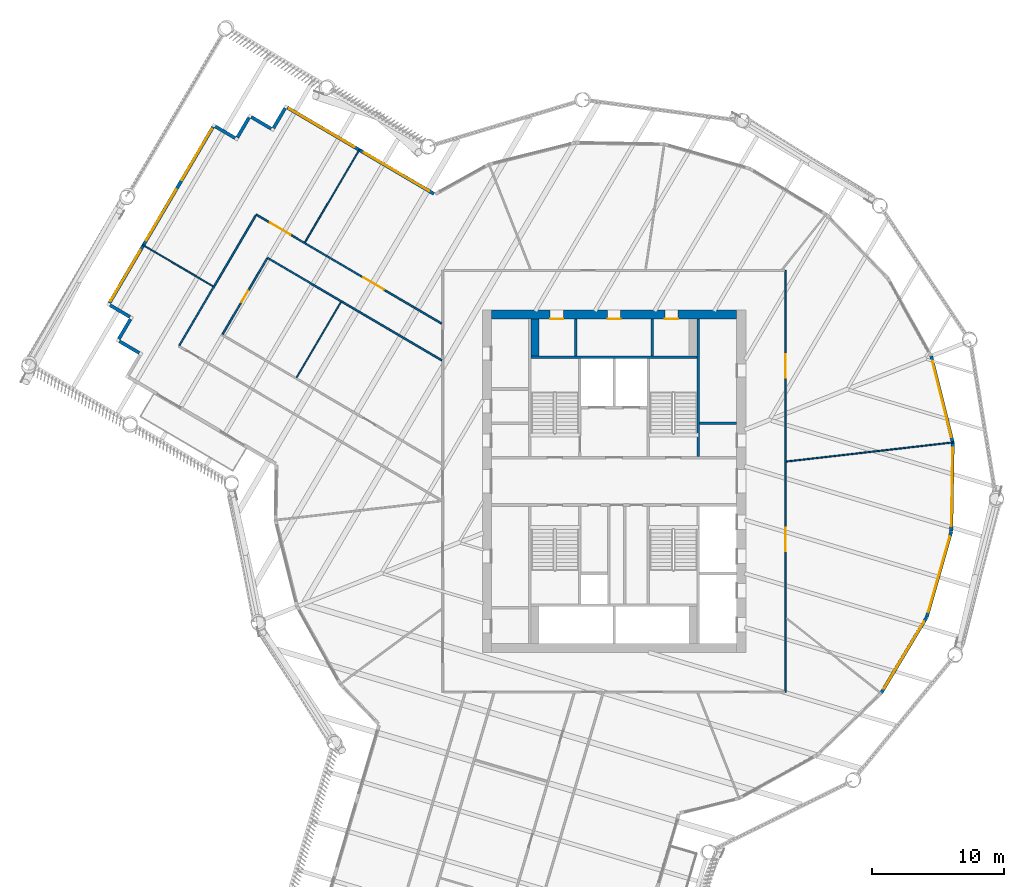
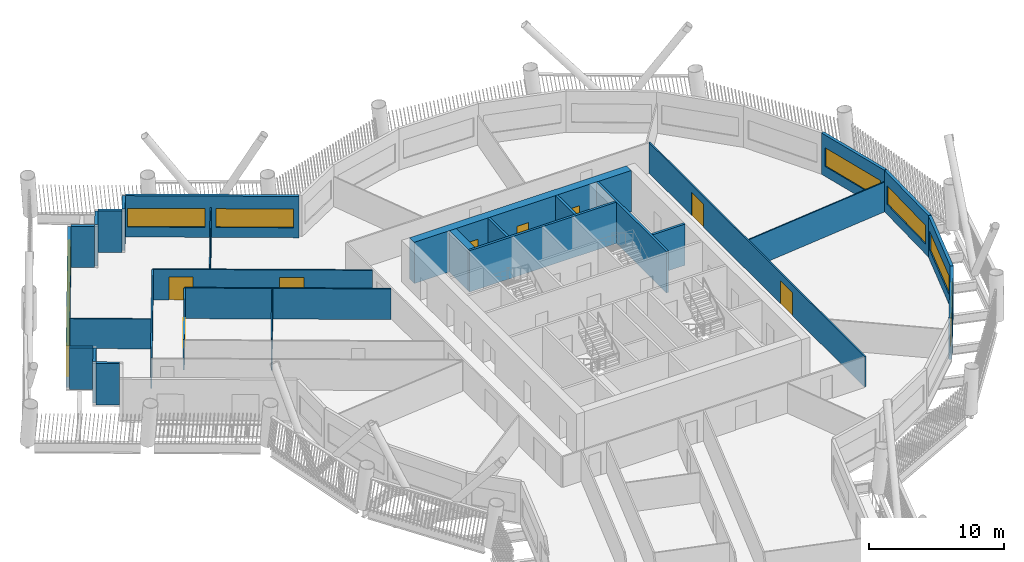
# One storey, part 6 of 23: 29 walls, 9 windows, 8 doors, 17 openings.
"""IFC4 building model written with IfcOpenShell, lengths in metres."""

from ifc_helpers import new_model, si_unit, direction, frame, frame_2d, origin, place, context, subcontext, project, spatial, rectangle, extrude, material, layer, layer_set, type_object, element, fill, save


model = new_model("IFC4")

# Units and contexts
model_context = context("Model", 3, precision=1e-05, world=origin(), true_north=direction((0.0, 1.0)))
body_context = subcontext(model_context, "Body", "Model", "MODEL_VIEW")
ifc_project = project(units=[si_unit("LENGTHUNIT", "METRE"), si_unit("AREAUNIT", "SQUARE_METRE"), si_unit("VOLUMEUNIT", "CUBIC_METRE"), si_unit("PLANEANGLEUNIT", "RADIAN"), si_unit("MASSUNIT", "GRAM", prefix="KILO")], contexts=[model_context])

# Site, building, storey
site_placement = place(None, origin())
site = spatial("IfcSite", under=ifc_project, at=site_placement, CompositionType="ELEMENT")
building_placement = place(site_placement, origin())
building = spatial("IfcBuilding", under=site, at=building_placement, Name="Tarsis Ring Headquarters", CompositionType="ELEMENT")
storey_placement = place(building_placement, frame((0.0, 0.0, 155.39990234375)))
storey = spatial("IfcBuildingStorey", under=building, at=storey_placement, Name="L35", CompositionType="ELEMENT", Elevation=155.39990234375)

# Walls
ifc_material_1 = material(Name="Blockwork", Category="masonry")
ifc_layer_1 = layer(ifc_material_1, 0.199951171875)
ifc_layer_set_1 = layer_set([ifc_layer_1], Name="Core blockwork wall 200")
wall_type_1 = type_object("IfcWallType", Name="Core blockwork wall 200", PredefinedType="PARTITIONING", material=ifc_layer_set_1)
for number, where, z_axis, x_axis, name in (
    (1, (6.5, 4.39990234375, 0.0), (0.0, 0.0, 1.0), (1.0, 0.0, 0.0), "Core partition ED5"),
    (2, (-2.89990234375, 9.5, 0.0), (0.0, 0.0, 1.0), (0.0, 1.0, 0.0), "Core partition ND1"),
    (3, (2.89990234375, 9.5, 0.0), (0.0, 0.0, 1.0), (0.0, 1.0, 0.0), "Core partition ND3"),
):
    element("IfcWall", number, at=place(storey_placement, frame(where, z_axis=z_axis, x_axis=x_axis)), inside=storey, type_object=wall_type_1, Name=name, PredefinedType="PARTITIONING", context=body_context, shape_type="SweptSolid", body=[
        extrude(rectangle(XDim=2.800048828125, YDim=0.199951171875, at=frame_2d((1.39990234375, 0.0))), origin(), (0.0, 0.0, 1.0), 3.739990234375),
    ])

# Wall, openings, doors
ifc_material_2 = material(Name="Concrete C60/75", Category="concrete")
ifc_layer_2 = layer(ifc_material_2, 0.699951171875)
ifc_layer_set_2 = layer_set([ifc_layer_2], Name="Core wall 700 C60/75")
wall_type_2 = type_object("IfcWallType", Name="Core wall 700 C60/75", PredefinedType="SHEAR", material=ifc_layer_set_2)
wall_1_placement = place(storey_placement, frame((-9.300048828125, 12.64990234375, 0.0), z_axis=(0.0, 0.0, 1.0), x_axis=(1.0, 0.0, 0.0)))
wall_1 = element("IfcWall", 4, at=wall_1_placement, inside=storey, type_object=wall_type_2, Name="Core wall ON", PredefinedType="SHEAR", context=body_context, shape_type="SweptSolid", body=[
    extrude(rectangle(XDim=18.60009765625, YDim=0.699951171875, at=frame_2d((9.300048828125, 0.0))), origin(), (0.0, 0.0, 1.0), 3.739990234375),
])
opening_1_placement = place(wall_1_placement, frame((4.449951171875, 0.0, 0.0)))
opening_1 = element("IfcOpeningElement", 5, at=opening_1_placement, cuts=wall_1, Name="Opening L35-C14", PredefinedType="OPENING", context=body_context, shape_type="SweptSolid", body=[
    extrude(rectangle(XDim=1.0, YDim=2.10009765625, at=frame_2d((0.5, 1.050048828125))), frame((0.0, 0.35986328125, 0.0), z_axis=(0.0, -1.0, 0.0), x_axis=(1.0, 0.0, 0.0)), (0.0, 0.0, 1.0), 0.719970703125),
])
opening_2_placement = place(wall_1_placement, frame((8.800048828125, 0.0, 0.0)))
opening_2 = element("IfcOpeningElement", 6, at=opening_2_placement, cuts=wall_1, Name="Opening L35-C15", PredefinedType="OPENING", context=body_context, shape_type="SweptSolid", body=[
    extrude(rectangle(XDim=1.0, YDim=2.10009765625, at=frame_2d((0.5, 1.050048828125))), frame((0.0, 0.35986328125, 0.0), z_axis=(0.0, -1.0, 0.0), x_axis=(1.0, 0.0, 0.0)), (0.0, 0.0, 1.0), 0.719970703125),
])
opening_3_placement = place(wall_1_placement, frame((13.14990234375, 0.0, 0.0)))
opening_3 = element("IfcOpeningElement", 7, at=opening_3_placement, cuts=wall_1, Name="Opening L35-C16", PredefinedType="OPENING", context=body_context, shape_type="SweptSolid", body=[
    extrude(rectangle(XDim=1.0, YDim=2.10009765625, at=frame_2d((0.5, 1.050048828125))), frame((0.0, 0.35986328125, 0.0), z_axis=(0.0, -1.0, 0.0), x_axis=(1.0, 0.0, 0.0)), (0.0, 0.0, 1.0), 0.719970703125),
])
ifc_material_3 = material(Name="Steel S355", Category="steel")
door_type_1 = type_object("IfcDoorType", Name="Core room door 1000x2100", OperationType="SINGLE_SWING_LEFT", PredefinedType="DOOR", material=ifc_material_3)
door_1_placement = place(opening_1_placement, origin())
door_1 = element("IfcDoor", 8, at=door_1_placement, inside=storey, type_object=door_type_1, Name="Core room door L35", OperationType="SINGLE_SWING_LEFT", OverallHeight=2.10009765625, OverallWidth=1.0, PredefinedType="DOOR", context=body_context, shape_type="SweptSolid", body=[
    extrude(rectangle(XDim=1.0, YDim=2.10009765625, at=frame_2d((0.5, 1.050048828125))), frame((0.0, -0.2998046875, 0.0), z_axis=(0.0, -1.0, 0.0), x_axis=(1.0, 0.0, 0.0)), (0.0, 0.0, 1.0), 0.050048828125),
])
fill(opening_1, door_1)
door_2_placement = place(opening_2_placement, origin())
door_2 = element("IfcDoor", 9, at=door_2_placement, inside=storey, type_object=door_type_1, Name="Core room door L35", OperationType="SINGLE_SWING_LEFT", OverallHeight=2.10009765625, OverallWidth=1.0, PredefinedType="DOOR", context=body_context, shape_type="SweptSolid", body=[
    extrude(rectangle(XDim=1.0, YDim=2.10009765625, at=frame_2d((0.5, 1.050048828125))), frame((0.0, -0.2998046875, 0.0), z_axis=(0.0, -1.0, 0.0), x_axis=(1.0, 0.0, 0.0)), (0.0, 0.0, 1.0), 0.050048828125),
])
fill(opening_2, door_2)
door_3_placement = place(opening_3_placement, origin())
door_3 = element("IfcDoor", 10, at=door_3_placement, inside=storey, type_object=door_type_1, Name="Core room door L35", OperationType="SINGLE_SWING_LEFT", OverallHeight=2.10009765625, OverallWidth=1.0, PredefinedType="DOOR", context=body_context, shape_type="SweptSolid", body=[
    extrude(rectangle(XDim=1.0, YDim=2.10009765625, at=frame_2d((0.5, 1.050048828125))), frame((0.0, -0.2998046875, 0.0), z_axis=(0.0, -1.0, 0.0), x_axis=(1.0, 0.0, 0.0)), (0.0, 0.0, 1.0), 0.050048828125),
])
fill(opening_3, door_3)

# Walls
ifc_material_4 = material(Name="Gypsum board on steel studs", Category="steel")
ifc_layer_3 = layer(ifc_material_4, 0.10009765625)
ifc_layer_set_3 = layer_set([ifc_layer_3], Name="FL partition 100 unrated")
wall_type_3 = type_object("IfcWallType", Name="FL partition 100 unrated", PredefinedType="PARTITIONING", material=ifc_layer_set_3)
wall_2_placement = place(storey_placement, frame((13.069580078125, 1.498291015625, 0.0), z_axis=(0.0, 0.0, 1.0), x_axis=(0.993492751149, 0.11389536169, 0.0)))
element("IfcWall", 11, at=wall_2_placement, inside=storey, type_object=wall_type_3, Name="Partition PW3", PredefinedType="PARTITIONING", context=body_context, shape_type="SweptSolid", body=[
    extrude(rectangle(XDim=12.792724609375, YDim=0.10009765625, at=frame_2d((6.396484375, 0.0))), origin(), (0.0, 0.0, 1.0), 2.7001953125),
])
wall_3_placement = place(storey_placement, frame((-23.45849609375, 18.146484375, 0.0), z_axis=(0.0, 0.0, 1.0), x_axis=(0.506918633914, 0.861993908674, 0.0)))
element("IfcWall", 12, at=wall_3_placement, inside=storey, type_object=wall_type_3, Name="Partition PW3", PredefinedType="PARTITIONING", context=body_context, shape_type="SweptSolid", body=[
    extrude(rectangle(XDim=8.199951171875, YDim=0.10009765625, at=frame_2d((4.10009765625, 0.0))), origin(), (0.0, 0.0, 1.0), 2.7001953125),
])
wall_4_placement = place(storey_placement, frame((-24.095458984375, 7.87109375, 0.0), z_axis=(0.0, 0.0, 1.0), x_axis=(0.506949425518, 0.861975800105, 0.0)))
element("IfcWall", 13, at=wall_4_placement, inside=storey, type_object=wall_type_3, Name="Partition PW3", PredefinedType="PARTITIONING", context=body_context, shape_type="SweptSolid", body=[
    extrude(rectangle(XDim=6.64013671875, YDim=0.10009765625, at=frame_2d((3.320068359375, 0.0))), origin(), (0.0, 0.0, 1.0), 2.7001953125),
])
wall_5_placement = place(storey_placement, frame((-35.789794921875, 17.95068359375, 0.0), z_axis=(0.0, 0.0, 1.0), x_axis=(0.861979689604, -0.50694281207, 0.0)))
element("IfcWall", 14, at=wall_5_placement, inside=storey, type_object=wall_type_3, Name="Partition PW3", PredefinedType="PARTITIONING", context=body_context, shape_type="SweptSolid", body=[
    extrude(rectangle(XDim=6.210205078125, YDim=0.10009765625, at=frame_2d((3.10498046875, 0.0))), origin(), (0.0, 0.0, 1.0), 2.7001953125),
])

# Wall, openings, doors
ifc_layer_4 = layer(ifc_material_4, 0.125)
ifc_layer_set_4 = layer_set([ifc_layer_4], Name="FL partition 125 EI 60 H2770")
wall_type_4 = type_object("IfcWallType", Name="FL partition 125 EI 60 H2770", PredefinedType="PARTITIONING", material=ifc_layer_set_4)
wall_6_placement = place(storey_placement, frame((13.0, -16.0, 0.0), z_axis=(0.0, 0.0, 1.0), x_axis=(0.0, 1.0, 0.0)))
wall_6 = element("IfcWall", 15, at=wall_6_placement, inside=storey, type_object=wall_type_4, Name="Partition PW1", PredefinedType="PARTITIONING", context=body_context, shape_type="SweptSolid", body=[
    extrude(rectangle(XDim=32.0, YDim=0.125, at=frame_2d((16.0, 0.0))), origin(), (0.0, 0.0, 1.0), 2.77001953125),
])
opening_4_placement = place(wall_6_placement, frame((23.84521484375, 0.0, 0.0)))
opening_4 = element("IfcOpeningElement", 16, at=opening_4_placement, cuts=wall_6, Name="Opening D35.06", PredefinedType="OPENING", context=body_context, shape_type="SweptSolid", body=[
    extrude(rectangle(XDim=1.800048828125, YDim=2.10009765625, at=frame_2d((0.89990234375, 1.050048828125))), frame((0.0, 0.072509765625, 0.0), z_axis=(0.0, -1.0, 0.0), x_axis=(1.0, 0.0, 0.0)), (0.0, 0.0, 1.0), 0.14501953125),
])
opening_5_placement = place(wall_6_placement, frame((10.682373046875, 0.0, 0.0)))
opening_5 = element("IfcOpeningElement", 17, at=opening_5_placement, cuts=wall_6, Name="Opening D35.07", PredefinedType="OPENING", context=body_context, shape_type="SweptSolid", body=[
    extrude(rectangle(XDim=1.800048828125, YDim=2.10009765625, at=frame_2d((0.89990234375, 1.050048828125))), frame((0.0, 0.072509765625, 0.0), z_axis=(0.0, -1.0, 0.0), x_axis=(1.0, 0.0, 0.0)), (0.0, 0.0, 1.0), 0.14501953125),
])
ifc_material_5 = material(Name="Fire-rated timber door leaf in steel frame", Category="steel")
door_type_2 = type_object("IfcDoorType", Name="FL door FD60-1800", OperationType="DOUBLE_DOOR_SINGLE_SWING", PredefinedType="DOOR", material=ifc_material_5)
door_4_placement = place(opening_4_placement, origin())
door_4 = element("IfcDoor", 18, at=door_4_placement, inside=storey, type_object=door_type_2, Name="Door D35.06", OperationType="DOUBLE_DOOR_SINGLE_SWING", OverallHeight=2.10009765625, OverallWidth=1.800048828125, PredefinedType="DOOR", context=body_context, shape_type="SweptSolid", body=[
    extrude(rectangle(XDim=1.800048828125, YDim=2.10009765625, at=frame_2d((0.89990234375, 1.050048828125))), frame((0.0, 0.02490234375, 0.0), z_axis=(0.0, -1.0, 0.0), x_axis=(1.0, 0.0, 0.0)), (0.0, 0.0, 1.0), 0.050048828125),
])
fill(opening_4, door_4)
door_5_placement = place(opening_5_placement, origin())
door_5 = element("IfcDoor", 19, at=door_5_placement, inside=storey, type_object=door_type_2, Name="Door D35.07", OperationType="DOUBLE_DOOR_SINGLE_SWING", OverallHeight=2.10009765625, OverallWidth=1.800048828125, PredefinedType="DOOR", context=body_context, shape_type="SweptSolid", body=[
    extrude(rectangle(XDim=1.800048828125, YDim=2.10009765625, at=frame_2d((0.89990234375, 1.050048828125))), frame((0.0, 0.02490234375, 0.0), z_axis=(0.0, -1.0, 0.0), x_axis=(1.0, 0.0, 0.0)), (0.0, 0.0, 1.0), 0.050048828125),
])
fill(opening_5, door_5)

wall_7_placement = place(storey_placement, frame((-27.157470703125, 20.24072265625, 0.0), z_axis=(0.0, 0.0, 1.0), x_axis=(0.861983422467, -0.506936464847, 0.0)))
wall_7 = element("IfcWall", 20, at=wall_7_placement, inside=storey, type_object=wall_type_4, Name="Partition PW1", PredefinedType="PARTITIONING", context=body_context, shape_type="SweptSolid", body=[
    extrude(rectangle(XDim=16.32421875, YDim=0.125, at=frame_2d((8.162109375, 0.0))), origin(), (0.0, 0.0, 1.0), 2.77001953125),
])
opening_6_placement = place(wall_7_placement, frame((1.222900390625, 0.0, 0.0)))
opening_6 = element("IfcOpeningElement", 21, at=opening_6_placement, cuts=wall_7, Name="Opening D35.02", PredefinedType="OPENING", context=body_context, shape_type="SweptSolid", body=[
    extrude(rectangle(XDim=1.800048828125, YDim=2.10009765625, at=frame_2d((0.89990234375, 1.050048828125))), frame((0.0, 0.072509765625, 0.0), z_axis=(0.0, -1.0, 0.0), x_axis=(1.0, 0.0, 0.0)), (0.0, 0.0, 1.0), 0.14501953125),
])
opening_7_placement = place(wall_7_placement, frame((9.43505859375, 0.0, 0.0)))
opening_7 = element("IfcOpeningElement", 22, at=opening_7_placement, cuts=wall_7, Name="Opening D35.03", PredefinedType="OPENING", context=body_context, shape_type="SweptSolid", body=[
    extrude(rectangle(XDim=1.800048828125, YDim=2.10009765625, at=frame_2d((0.89990234375, 1.050048828125))), frame((0.0, 0.072509765625, 0.0), z_axis=(0.0, -1.0, 0.0), x_axis=(1.0, 0.0, 0.0)), (0.0, 0.0, 1.0), 0.14501953125),
])
door_6_placement = place(opening_6_placement, origin())
door_6 = element("IfcDoor", 23, at=door_6_placement, inside=storey, type_object=door_type_2, Name="Door D35.02", OperationType="DOUBLE_DOOR_SINGLE_SWING", OverallHeight=2.10009765625, OverallWidth=1.800048828125, PredefinedType="DOOR", context=body_context, shape_type="SweptSolid", body=[
    extrude(rectangle(XDim=1.800048828125, YDim=2.10009765625, at=frame_2d((0.89990234375, 1.050048828125))), frame((0.0, 0.02490234375, 0.0), z_axis=(0.0, -1.0, 0.0), x_axis=(1.0, 0.0, 0.0)), (0.0, 0.0, 1.0), 0.050048828125),
])
fill(opening_6, door_6)
door_7_placement = place(opening_7_placement, origin())
door_7 = element("IfcDoor", 24, at=door_7_placement, inside=storey, type_object=door_type_2, Name="Door D35.03", OperationType="DOUBLE_DOOR_SINGLE_SWING", OverallHeight=2.10009765625, OverallWidth=1.800048828125, PredefinedType="DOOR", context=body_context, shape_type="SweptSolid", body=[
    extrude(rectangle(XDim=1.800048828125, YDim=2.10009765625, at=frame_2d((0.89990234375, 1.050048828125))), frame((0.0, 0.02490234375, 0.0), z_axis=(0.0, -1.0, 0.0), x_axis=(1.0, 0.0, 0.0)), (0.0, 0.0, 1.0), 0.050048828125),
])
fill(opening_7, door_7)

# Walls
wall_8_placement = place(storey_placement, frame((-26.305419921875, 16.955078125, 0.0), z_axis=(0.0, 0.0, 1.0), x_axis=(0.861987003255, -0.506930376106, 0.0)))
element("IfcWall", 25, at=wall_8_placement, inside=storey, type_object=wall_type_4, Name="Partition PW1", PredefinedType="PARTITIONING", context=body_context, shape_type="SweptSolid", body=[
    extrude(rectangle(XDim=15.335693359375, YDim=0.125, at=frame_2d((7.66796875, 0.0))), origin(), (0.0, 0.0, 1.0), 2.77001953125),
])
wall_9_placement = place(storey_placement, frame((-32.997314453125, 10.310546875, 0.0), z_axis=(0.0, 0.0, 1.0), x_axis=(0.506922367091, 0.861991713268, 0.0)))
element("IfcWall", 26, at=wall_9_placement, inside=storey, type_object=wall_type_4, Name="Partition PW1", PredefinedType="PARTITIONING", context=body_context, shape_type="SweptSolid", body=[
    extrude(rectangle(XDim=11.4599609375, YDim=0.125, at=frame_2d((5.72998046875, 0.0))), origin(), (0.0, 0.0, 1.0), 2.77001953125),
])

# Wall, opening, door
wall_10_placement = place(storey_placement, frame((-29.7119140625, 11.16259765625, 0.0), z_axis=(0.0, 0.0, 1.0), x_axis=(0.506928811189, 0.861987923574, 0.0)))
wall_10 = element("IfcWall", 27, at=wall_10_placement, inside=storey, type_object=wall_type_4, Name="Partition PW1", PredefinedType="PARTITIONING", context=body_context, shape_type="SweptSolid", body=[
    extrude(rectangle(XDim=6.66015625, YDim=0.125, at=frame_2d((3.330078125, 0.0))), origin(), (0.0, 0.0, 1.0), 2.77001953125),
])
opening_8_placement = place(wall_10_placement, frame((2.830078125, 0.0, 0.0)))
opening_8 = element("IfcOpeningElement", 28, at=opening_8_placement, cuts=wall_10, Name="Opening D35.15", PredefinedType="OPENING", context=body_context, shape_type="SweptSolid", body=[
    extrude(rectangle(XDim=1.0, YDim=2.10009765625, at=frame_2d((0.5, 1.050048828125))), frame((0.0, 0.072509765625, 0.0), z_axis=(0.0, -1.0, 0.0), x_axis=(1.0, 0.0, 0.0)), (0.0, 0.0, 1.0), 0.14501953125),
])
door_type_3 = type_object("IfcDoorType", Name="FL door FD60-1000", OperationType="NOTDEFINED", PredefinedType="DOOR", material=ifc_material_5)
door_8_placement = place(opening_8_placement, origin())
door_8 = element("IfcDoor", 29, at=door_8_placement, inside=storey, type_object=door_type_3, Name="Door D35.15", OperationType="SINGLE_SWING_RIGHT", OverallHeight=2.10009765625, OverallWidth=1.0, PredefinedType="DOOR", context=body_context, shape_type="SweptSolid", body=[
    extrude(rectangle(XDim=1.0, YDim=2.10009765625, at=frame_2d((0.5, 1.050048828125))), frame((0.0, 0.02490234375, 0.0), z_axis=(0.0, -1.0, 0.0), x_axis=(1.0, 0.0, 0.0)), (0.0, 0.0, 1.0), 0.050048828125),
])
fill(opening_8, door_8)

# Wall, opening, window
ifc_material_6 = material(Name="Terracotta clad insulated panel wall", Category="masonry")
ifc_layer_5 = layer(ifc_material_6, 0.25)
ifc_layer_set_5 = layer_set([ifc_layer_5], Name="Facade wall terracotta panel 250")
wall_type_5 = type_object("IfcWallType", Name="Facade wall terracotta panel 250", PredefinedType="STANDARD", material=ifc_layer_set_5)
wall_11_placement = place(storey_placement, frame((20.268798828125, -16.07861328125, 0.0), z_axis=(0.0, 0.0, 1.0), x_axis=(0.514431655948, 0.857531382142, 0.0)))
wall_11 = element("IfcWall", 30, at=wall_11_placement, inside=storey, type_object=wall_type_5, Name="External wall L35-20", PredefinedType="STANDARD", context=body_context, shape_type="SweptSolid", body=[
    extrude(rectangle(XDim=6.721435546875, YDim=0.25, at=frame_2d((3.36083984375, 0.0))), origin(), (0.0, 0.0, 1.0), 3.739990234375),
])
opening_9_placement = place(wall_11_placement, frame((0.3857421875, 0.0, 0.89990234375)))
opening_9 = element("IfcOpeningElement", 31, at=opening_9_placement, cuts=wall_11, Name="Opening WN07", PredefinedType="OPENING", context=body_context, shape_type="SweptSolid", body=[
    extrude(rectangle(XDim=5.949951171875, YDim=1.699951171875, at=frame_2d((2.97509765625, 0.85009765625))), frame((0.0, 0.135009765625, 0.0), z_axis=(0.0, -1.0, 0.0), x_axis=(1.0, 0.0, 0.0)), (0.0, 0.0, 1.0), 0.27001953125),
])
ifc_material_7 = material(Name="Aluminium framed double glazing", Category="aluminium")
window_type_1 = type_object("IfcWindowType", Name="Facade window 5950 x 1700", PartitioningType="SINGLE_PANEL", PredefinedType="WINDOW", material=ifc_material_7)
window_1_placement = place(opening_9_placement, origin())
window_1 = element("IfcWindow", 32, at=window_1_placement, inside=storey, type_object=window_type_1, Name="Window L35-20.1", OverallHeight=1.699951171875, OverallWidth=5.949951171875, PartitioningType="SINGLE_PANEL", PredefinedType="WINDOW", context=body_context, shape_type="SweptSolid", body=[
    extrude(rectangle(XDim=5.949951171875, YDim=1.699951171875, at=frame_2d((2.97509765625, 0.85009765625))), frame((0.0, 0.030029296875, 0.0), z_axis=(0.0, -1.0, 0.0), x_axis=(1.0, 0.0, 0.0)), (0.0, 0.0, 1.0), 0.06005859375),
])
fill(opening_9, window_1)

wall_12_placement = place(storey_placement, frame((23.73974609375, -10.284912109375, 0.0), z_axis=(0.0, 0.0, 1.0), x_axis=(0.274951382637, 0.96145813075, 0.0)))
wall_12 = element("IfcWall", 33, at=wall_12_placement, inside=storey, type_object=wall_type_5, Name="External wall L35-21", PredefinedType="STANDARD", context=body_context, shape_type="SweptSolid", body=[
    extrude(rectangle(XDim=6.7216796875, YDim=0.25, at=frame_2d((3.36083984375, 0.0))), origin(), (0.0, 0.0, 1.0), 3.739990234375),
])
opening_10_placement = place(wall_12_placement, frame((0.3857421875, 0.0, 0.89990234375)))
opening_10 = element("IfcOpeningElement", 34, at=opening_10_placement, cuts=wall_12, Name="Opening WN07", PredefinedType="OPENING", context=body_context, shape_type="SweptSolid", body=[
    extrude(rectangle(XDim=5.949951171875, YDim=1.699951171875, at=frame_2d((2.97509765625, 0.85009765625))), frame((0.0, 0.135009765625, 0.0), z_axis=(0.0, -1.0, 0.0), x_axis=(1.0, 0.0, 0.0)), (0.0, 0.0, 1.0), 0.27001953125),
])
window_2_placement = place(opening_10_placement, origin())
window_2 = element("IfcWindow", 35, at=window_2_placement, inside=storey, type_object=window_type_1, Name="Window L35-21.1", OverallHeight=1.699951171875, OverallWidth=5.949951171875, PartitioningType="SINGLE_PANEL", PredefinedType="WINDOW", context=body_context, shape_type="SweptSolid", body=[
    extrude(rectangle(XDim=5.949951171875, YDim=1.699951171875, at=frame_2d((2.97509765625, 0.85009765625))), frame((0.0, 0.030029296875, 0.0), z_axis=(0.0, -1.0, 0.0), x_axis=(1.0, 0.0, 0.0)), (0.0, 0.0, 1.0), 0.06005859375),
])
fill(opening_10, window_2)

wall_13_placement = place(storey_placement, frame((25.5927734375, -3.7900390625, 0.0), z_axis=(0.0, 0.0, 1.0), x_axis=(0.016744845628, 0.999859795244, 0.0)))
wall_13 = element("IfcWall", 36, at=wall_13_placement, inside=storey, type_object=wall_type_5, Name="External wall L35-22", PredefinedType="STANDARD", context=body_context, shape_type="SweptSolid", body=[
    extrude(rectangle(XDim=6.721435546875, YDim=0.25, at=frame_2d((3.36083984375, 0.0))), origin(), (0.0, 0.0, 1.0), 3.739990234375),
])
opening_11_placement = place(wall_13_placement, frame((0.3857421875, 0.0, 0.89990234375)))
opening_11 = element("IfcOpeningElement", 37, at=opening_11_placement, cuts=wall_13, Name="Opening WN07", PredefinedType="OPENING", context=body_context, shape_type="SweptSolid", body=[
    extrude(rectangle(XDim=5.949951171875, YDim=1.699951171875, at=frame_2d((2.97509765625, 0.85009765625))), frame((0.0, 0.135009765625, 0.0), z_axis=(0.0, -1.0, 0.0), x_axis=(1.0, 0.0, 0.0)), (0.0, 0.0, 1.0), 0.27001953125),
])
window_3_placement = place(opening_11_placement, origin())
window_3 = element("IfcWindow", 38, at=window_3_placement, inside=storey, type_object=window_type_1, Name="Window L35-22.1", OverallHeight=1.699951171875, OverallWidth=5.949951171875, PartitioningType="SINGLE_PANEL", PredefinedType="WINDOW", context=body_context, shape_type="SweptSolid", body=[
    extrude(rectangle(XDim=5.949951171875, YDim=1.699951171875, at=frame_2d((2.97509765625, 0.85009765625))), frame((0.0, 0.030029296875, 0.0), z_axis=(0.0, -1.0, 0.0), x_axis=(1.0, 0.0, 0.0)), (0.0, 0.0, 1.0), 0.06005859375),
])
fill(opening_11, window_3)

wall_14_placement = place(storey_placement, frame((25.70166015625, 2.962890625, 0.0), z_axis=(0.0, 0.0, 1.0), x_axis=(-0.242629633266, 0.970118993248, 0.0)))
wall_14 = element("IfcWall", 39, at=wall_14_placement, inside=storey, type_object=wall_type_5, Name="External wall L35-23", PredefinedType="STANDARD", context=body_context, shape_type="SweptSolid", body=[
    extrude(rectangle(XDim=6.7216796875, YDim=0.25, at=frame_2d((3.36083984375, 0.0))), origin(), (0.0, 0.0, 1.0), 3.739990234375),
])
opening_12_placement = place(wall_14_placement, frame((0.3857421875, 0.0, 0.89990234375)))
opening_12 = element("IfcOpeningElement", 40, at=opening_12_placement, cuts=wall_14, Name="Opening WN07", PredefinedType="OPENING", context=body_context, shape_type="SweptSolid", body=[
    extrude(rectangle(XDim=5.949951171875, YDim=1.699951171875, at=frame_2d((2.97509765625, 0.85009765625))), frame((0.0, 0.135009765625, 0.0), z_axis=(0.0, -1.0, 0.0), x_axis=(1.0, 0.0, 0.0)), (0.0, 0.0, 1.0), 0.27001953125),
])
window_4_placement = place(opening_12_placement, origin())
window_4 = element("IfcWindow", 41, at=window_4_placement, inside=storey, type_object=window_type_1, Name="Window L35-23.1", OverallHeight=1.699951171875, OverallWidth=5.949951171875, PartitioningType="SINGLE_PANEL", PredefinedType="WINDOW", context=body_context, shape_type="SweptSolid", body=[
    extrude(rectangle(XDim=5.949951171875, YDim=1.699951171875, at=frame_2d((2.97509765625, 0.85009765625))), frame((0.0, 0.030029296875, 0.0), z_axis=(0.0, -1.0, 0.0), x_axis=(1.0, 0.0, 0.0)), (0.0, 0.0, 1.0), 0.06005859375),
])
fill(opening_12, window_4)

# Wall, openings, windows
wall_15_placement = place(storey_placement, frame((-13.67529296875, 21.81884765625, 0.0), z_axis=(0.0, 0.0, 1.0), x_axis=(-0.861981398397, 0.506939906515, 0.0)))
wall_15 = element("IfcWall", 42, at=wall_15_placement, inside=storey, type_object=wall_type_5, Name="External wall L35-31", PredefinedType="STANDARD", context=body_context, shape_type="SweptSolid", body=[
    extrude(rectangle(XDim=12.901611328125, YDim=0.25, at=frame_2d((6.45068359375, 0.0))), origin(), (0.0, 0.0, 1.0), 3.739990234375),
])
opening_13_placement = place(wall_15_placement, frame((0.412841796875, 0.0, 0.89990234375)))
opening_13 = element("IfcOpeningElement", 43, at=opening_13_placement, cuts=wall_15, Name="Opening WN06", PredefinedType="OPENING", context=body_context, shape_type="SweptSolid", body=[
    extrude(rectangle(XDim=5.75, YDim=1.699951171875, at=frame_2d((2.875, 0.85009765625))), frame((0.0, 0.135009765625, 0.0), z_axis=(0.0, -1.0, 0.0), x_axis=(1.0, 0.0, 0.0)), (0.0, 0.0, 1.0), 0.27001953125),
])
opening_14_placement = place(wall_15_placement, frame((6.988525390625, 0.0, 0.89990234375)))
opening_14 = element("IfcOpeningElement", 44, at=opening_14_placement, cuts=wall_15, Name="Opening WN06", PredefinedType="OPENING", context=body_context, shape_type="SweptSolid", body=[
    extrude(rectangle(XDim=5.75, YDim=1.699951171875, at=frame_2d((2.875, 0.85009765625))), frame((0.0, 0.135009765625, 0.0), z_axis=(0.0, -1.0, 0.0), x_axis=(1.0, 0.0, 0.0)), (0.0, 0.0, 1.0), 0.27001953125),
])
window_type_2 = type_object("IfcWindowType", Name="Facade window 5750 x 1700", PartitioningType="SINGLE_PANEL", PredefinedType="WINDOW", material=ifc_material_7)
window_5_placement = place(opening_13_placement, origin())
window_5 = element("IfcWindow", 45, at=window_5_placement, inside=storey, type_object=window_type_2, Name="Window L35-31.1", OverallHeight=1.699951171875, OverallWidth=5.75, PartitioningType="SINGLE_PANEL", PredefinedType="WINDOW", context=body_context, shape_type="SweptSolid", body=[
    extrude(rectangle(XDim=5.75, YDim=1.699951171875, at=frame_2d((2.875, 0.85009765625))), frame((0.0, 0.030029296875, 0.0), z_axis=(0.0, -1.0, 0.0), x_axis=(1.0, 0.0, 0.0)), (0.0, 0.0, 1.0), 0.06005859375),
])
fill(opening_13, window_5)
window_6_placement = place(opening_14_placement, origin())
window_6 = element("IfcWindow", 46, at=window_6_placement, inside=storey, type_object=window_type_2, Name="Window L35-31.2", OverallHeight=1.699951171875, OverallWidth=5.75, PartitioningType="SINGLE_PANEL", PredefinedType="WINDOW", context=body_context, shape_type="SweptSolid", body=[
    extrude(rectangle(XDim=5.75, YDim=1.699951171875, at=frame_2d((2.875, 0.85009765625))), frame((0.0, 0.030029296875, 0.0), z_axis=(0.0, -1.0, 0.0), x_axis=(1.0, 0.0, 0.0)), (0.0, 0.0, 1.0), 0.06005859375),
])
fill(opening_14, window_6)

# Walls
for number, where, z_axis, x_axis, name in (
    (47, (-24.967041015625, 28.314697265625, 0.0), (0.0, 0.0, 1.0), (-0.506946967352, -0.861977245809, 0.0), "External wall L35-32"),
    (48, (-26.025390625, 26.76171875, 0.0), (0.0, 0.0, 1.0), (-0.861977245809, 0.506946967352, 0.0), "External wall L35-33"),
):
    element("IfcWall", number, at=place(storey_placement, frame(where, z_axis=z_axis, x_axis=x_axis)), inside=storey, type_object=wall_type_5, Name=name, PredefinedType="STANDARD", context=body_context, shape_type="SweptSolid", body=[
        extrude(rectangle(XDim=1.75, YDim=0.25, at=frame_2d((0.875, 0.0))), origin(), (0.0, 0.0, 1.0), 3.739990234375),
    ])
wall_16_placement = place(storey_placement, frame((-27.705078125, 27.6044921875, 0.0), z_axis=(0.0, 0.0, 1.0), x_axis=(-0.506904267333, -0.862002357166, 0.0)))
element("IfcWall", 49, at=wall_16_placement, inside=storey, type_object=wall_type_5, Name="External wall L35-34", PredefinedType="STANDARD", context=body_context, shape_type="SweptSolid", body=[
    extrude(rectangle(XDim=1.749755859375, YDim=0.25, at=frame_2d((0.875, 0.0))), origin(), (0.0, 0.0, 1.0), 3.739990234375),
])
wall_17_placement = place(storey_placement, frame((-28.76318359375, 26.0517578125, 0.0), z_axis=(0.0, 0.0, 1.0), x_axis=(-0.861977245809, 0.506946967352, 0.0)))
element("IfcWall", 50, at=wall_17_placement, inside=storey, type_object=wall_type_5, Name="External wall L35-35", PredefinedType="STANDARD", context=body_context, shape_type="SweptSolid", body=[
    extrude(rectangle(XDim=1.75, YDim=0.25, at=frame_2d((0.875, 0.0))), origin(), (0.0, 0.0, 1.0), 3.739990234375),
])

# Wall, openings, windows
wall_18_placement = place(storey_placement, frame((-30.44287109375, 26.89453125, 0.0), z_axis=(0.0, 0.0, 1.0), x_axis=(-0.506929262102, -0.861987658395, 0.0)))
wall_18 = element("IfcWall", 51, at=wall_18_placement, inside=storey, type_object=wall_type_5, Name="External wall L35-36", PredefinedType="STANDARD", context=body_context, shape_type="SweptSolid", body=[
    extrude(rectangle(XDim=15.5, YDim=0.25, at=frame_2d((7.75, 0.0))), origin(), (0.0, 0.0, 1.0), 3.739990234375),
])
opening_15_placement = place(wall_18_placement, frame((0.166748046875, 0.0, 0.89990234375)))
opening_15 = element("IfcOpeningElement", 52, at=opening_15_placement, cuts=wall_18, Name="Opening WN04", PredefinedType="OPENING", context=body_context, shape_type="SweptSolid", body=[
    extrude(rectangle(XDim=4.5, YDim=1.699951171875, at=frame_2d((2.25, 0.85009765625))), frame((0.0, 0.135009765625, 0.0), z_axis=(0.0, -1.0, 0.0), x_axis=(1.0, 0.0, 0.0)), (0.0, 0.0, 1.0), 0.27001953125),
])
opening_16_placement = place(wall_18_placement, frame((5.5, 0.0, 0.89990234375)))
opening_16 = element("IfcOpeningElement", 53, at=opening_16_placement, cuts=wall_18, Name="Opening WN04", PredefinedType="OPENING", context=body_context, shape_type="SweptSolid", body=[
    extrude(rectangle(XDim=4.5, YDim=1.699951171875, at=frame_2d((2.25, 0.85009765625))), frame((0.0, 0.135009765625, 0.0), z_axis=(0.0, -1.0, 0.0), x_axis=(1.0, 0.0, 0.0)), (0.0, 0.0, 1.0), 0.27001953125),
])
opening_17_placement = place(wall_18_placement, frame((10.833251953125, 0.0, 0.89990234375)))
opening_17 = element("IfcOpeningElement", 54, at=opening_17_placement, cuts=wall_18, Name="Opening WN04", PredefinedType="OPENING", context=body_context, shape_type="SweptSolid", body=[
    extrude(rectangle(XDim=4.5, YDim=1.699951171875, at=frame_2d((2.25, 0.85009765625))), frame((0.0, 0.135009765625, 0.0), z_axis=(0.0, -1.0, 0.0), x_axis=(1.0, 0.0, 0.0)), (0.0, 0.0, 1.0), 0.27001953125),
])
window_type_3 = type_object("IfcWindowType", Name="Facade window 4500 x 1700", PartitioningType="SINGLE_PANEL", PredefinedType="WINDOW", material=ifc_material_7)
window_7_placement = place(opening_15_placement, origin())
window_7 = element("IfcWindow", 55, at=window_7_placement, inside=storey, type_object=window_type_3, Name="Window L35-36.1", OverallHeight=1.699951171875, OverallWidth=4.5, PartitioningType="SINGLE_PANEL", PredefinedType="WINDOW", context=body_context, shape_type="SweptSolid", body=[
    extrude(rectangle(XDim=4.5, YDim=1.699951171875, at=frame_2d((2.25, 0.85009765625))), frame((0.0, 0.030029296875, 0.0), z_axis=(0.0, -1.0, 0.0), x_axis=(1.0, 0.0, 0.0)), (0.0, 0.0, 1.0), 0.06005859375),
])
fill(opening_15, window_7)
window_8_placement = place(opening_16_placement, origin())
window_8 = element("IfcWindow", 56, at=window_8_placement, inside=storey, type_object=window_type_3, Name="Window L35-36.2", OverallHeight=1.699951171875, OverallWidth=4.5, PartitioningType="SINGLE_PANEL", PredefinedType="WINDOW", context=body_context, shape_type="SweptSolid", body=[
    extrude(rectangle(XDim=4.5, YDim=1.699951171875, at=frame_2d((2.25, 0.85009765625))), frame((0.0, 0.030029296875, 0.0), z_axis=(0.0, -1.0, 0.0), x_axis=(1.0, 0.0, 0.0)), (0.0, 0.0, 1.0), 0.06005859375),
])
fill(opening_16, window_8)
window_9_placement = place(opening_17_placement, origin())
window_9 = element("IfcWindow", 57, at=window_9_placement, inside=storey, type_object=window_type_3, Name="Window L35-36.3", OverallHeight=1.699951171875, OverallWidth=4.5, PartitioningType="SINGLE_PANEL", PredefinedType="WINDOW", context=body_context, shape_type="SweptSolid", body=[
    extrude(rectangle(XDim=4.5, YDim=1.699951171875, at=frame_2d((2.25, 0.85009765625))), frame((0.0, 0.030029296875, 0.0), z_axis=(0.0, -1.0, 0.0), x_axis=(1.0, 0.0, 0.0)), (0.0, 0.0, 1.0), 0.06005859375),
])
fill(opening_17, window_9)

# Walls
wall_19_placement = place(storey_placement, frame((-38.255859375, 13.362548828125, 0.0), z_axis=(0.0, 0.0, 1.0), x_axis=(0.862002357166, -0.506904267333, 0.0)))
element("IfcWall", 58, at=wall_19_placement, inside=storey, type_object=wall_type_5, Name="External wall L35-37", PredefinedType="STANDARD", context=body_context, shape_type="SweptSolid", body=[
    extrude(rectangle(XDim=1.749755859375, YDim=0.25, at=frame_2d((0.875, 0.0))), origin(), (0.0, 0.0, 1.0), 3.739990234375),
])
for number, where, z_axis, x_axis, name in (
    (59, (-36.703125, 12.304443359375, 0.0), (0.0, 0.0, 1.0), (-0.506946967352, -0.861977245809, 0.0), "External wall L35-38"),
    (60, (-37.5458984375, 10.624755859375, 0.0), (0.0, 0.0, 1.0), (0.861977245809, -0.506946967352, 0.0), "External wall L35-39"),
):
    element("IfcWall", number, at=place(storey_placement, frame(where, z_axis=z_axis, x_axis=x_axis)), inside=storey, type_object=wall_type_5, Name=name, PredefinedType="STANDARD", context=body_context, shape_type="SweptSolid", body=[
        extrude(rectangle(XDim=1.75, YDim=0.25, at=frame_2d((0.875, 0.0))), origin(), (0.0, 0.0, 1.0), 3.739990234375),
    ])
ifc_material_8 = material(Name="Concrete C32/40", Category="concrete")
ifc_layer_6 = layer(ifc_material_8, 0.60009765625)
ifc_layer_set_6 = layer_set([ifc_layer_6], Name="Shaft end wall 600 C32/40")
wall_type_6 = type_object("IfcWallType", Name="Shaft end wall 600 C32/40", PredefinedType="SOLIDWALL", material=ifc_layer_set_6)
wall_20_placement = place(storey_placement, frame((-6.0, 9.5, 0.0), z_axis=(0.0, 0.0, 1.0), x_axis=(0.0, 1.0, 0.0)))
element("IfcWall", 61, at=wall_20_placement, inside=storey, type_object=wall_type_6, Name="Core shaft wall NNE1", PredefinedType="SOLIDWALL", context=body_context, shape_type="SweptSolid", body=[
    extrude(rectangle(XDim=2.800048828125, YDim=0.60009765625, at=frame_2d((1.39990234375, 0.0))), origin(), (0.0, 0.0, 1.0), 3.739990234375),
])
ifc_layer_7 = layer(ifc_material_8, 0.199951171875)
ifc_layer_set_7 = layer_set([ifc_layer_7], Name="Shaft wall 200 C32/40")
wall_type_7 = type_object("IfcWallType", Name="Shaft wall 200 C32/40", PredefinedType="SOLIDWALL", material=ifc_layer_set_7)
wall_21_placement = place(storey_placement, frame((6.39990234375, 1.89990234375, 0.0), z_axis=(0.0, 0.0, 1.0), x_axis=(0.0, 1.0, 0.0)))
element("IfcWall", 62, at=wall_21_placement, inside=storey, type_object=wall_type_7, Name="Core shaft wall EB2", PredefinedType="SOLIDWALL", context=body_context, shape_type="SweptSolid", body=[
    extrude(rectangle(XDim=10.400146484375, YDim=0.199951171875, at=frame_2d((5.2001953125, 0.0))), origin(), (0.0, 0.0, 1.0), 3.739990234375),
])
wall_22_placement = place(storey_placement, frame((-6.300048828125, 9.39990234375, 0.0), z_axis=(0.0, 0.0, 1.0), x_axis=(1.0, 0.0, 0.0)))
element("IfcWall", 63, at=wall_22_placement, inside=storey, type_object=wall_type_7, Name="Core shaft wall NB", PredefinedType="SOLIDWALL", context=body_context, shape_type="SweptSolid", body=[
    extrude(rectangle(XDim=12.60009765625, YDim=0.199951171875, at=frame_2d((6.300048828125, 0.0))), origin(), (0.0, 0.0, 1.0), 3.739990234375),
])

save(model, "model.ifc")
